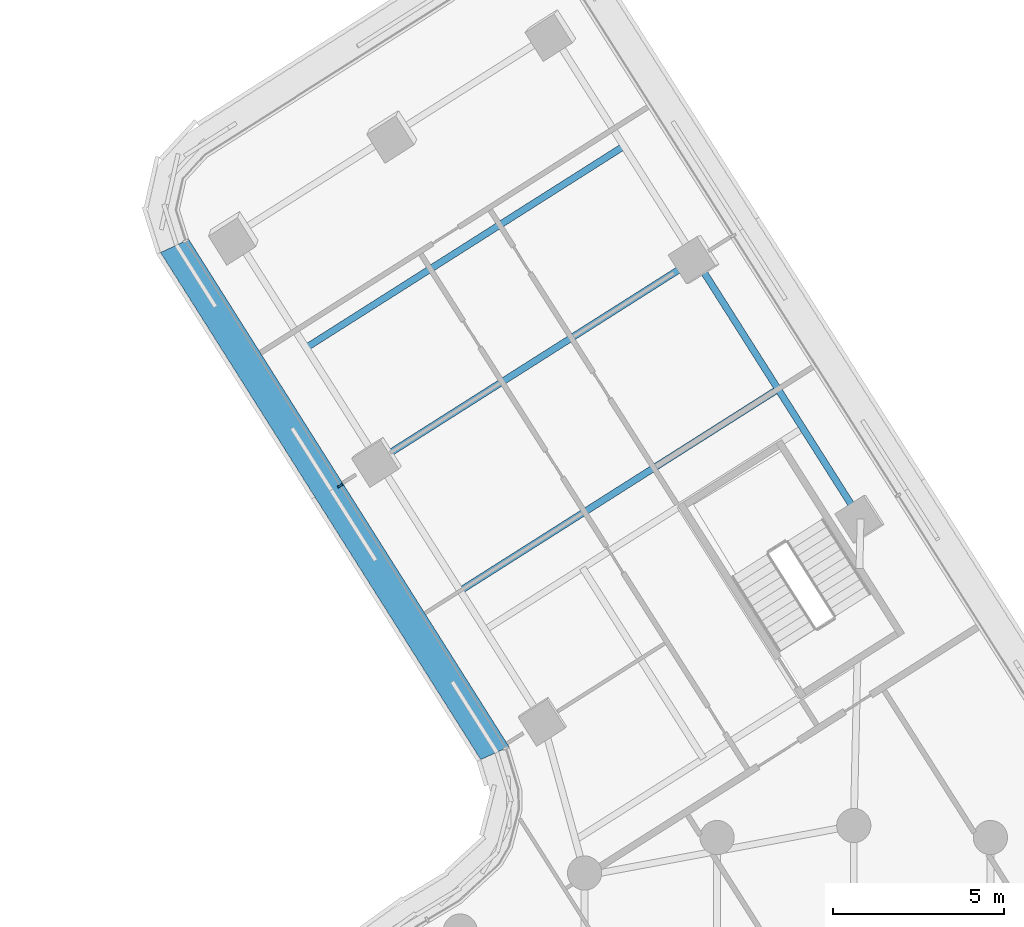
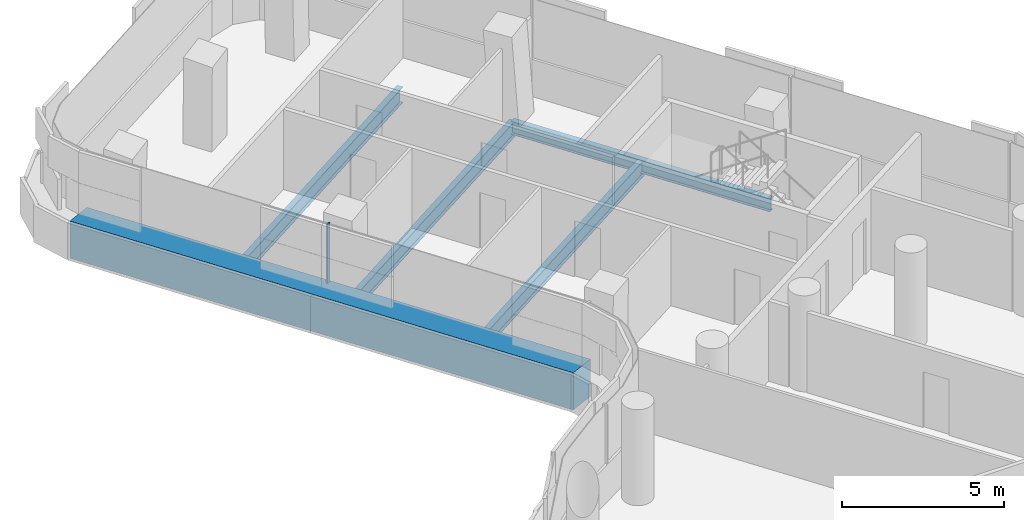
# One storey, part 17 of 36: 4 beams, 2 members, 1 element without a shape of its own.
"""IFC4 building model written with IfcOpenShell, lengths in metres."""

from ifc_helpers import new_model, si_unit, direction, frame, origin, origin_2d, place, context, subcontext, project, spatial, polyline, rectangle, i_section, outline, extrude, material, layer, layer_set, material_profile, profile_set, type_object, element, aggregate, save


model = new_model("IFC4")

# Units and contexts
model_context = context("Model", 3, precision=1e-05, world=origin(), true_north=direction((0.0, 1.0)))
body_context = subcontext(model_context, "Body", "Model", "MODEL_VIEW")
ifc_project = project(units=[si_unit("LENGTHUNIT", "METRE"), si_unit("AREAUNIT", "SQUARE_METRE"), si_unit("VOLUMEUNIT", "CUBIC_METRE"), si_unit("PLANEANGLEUNIT", "RADIAN"), si_unit("MASSUNIT", "GRAM", prefix="KILO")], contexts=[model_context])

# Site, building, storey
site_placement = place(None, origin())
site = spatial("IfcSite", under=ifc_project, at=site_placement, CompositionType="ELEMENT")
building_placement = place(site_placement, origin())
building = spatial("IfcBuilding", under=site, at=building_placement, Name="Tamarind Cross Interchange Tower", CompositionType="ELEMENT")
storey_placement = place(building_placement, frame((0.0, 0.0, 151.75)))
storey = spatial("IfcBuildingStorey", under=building, at=storey_placement, Name="L37", CompositionType="ELEMENT", Elevation=151.75)

# Beams
ifc_material_1 = material(Name="Steel Q355B", Category="steel")
ifc_material_profile_1 = material_profile(ifc_material_1, i_section(OverallWidth=0.198974609375, OverallDepth=0.49609375, WebThickness=0.009033203125, FlangeThickness=0.013916015625, FilletRadius=0.012939453125, at=origin_2d()), Name="HN 496x199x9x14")
ifc_profile_set_1 = profile_set([ifc_material_profile_1], Name="Steel Q355B")
beam_type_1 = type_object("IfcBeamType", Name="Composite beam HN 496x199x9x14 Q355B", PredefinedType="BEAM", material=ifc_profile_set_1)
beam_1_placement = place(storey_placement, frame((-4.62255859375, 39.554931640625, -0.387939453125), z_axis=(0.535658569153, -0.844434661352, 0.0), x_axis=(0.844434661352, 0.535658569153, 0.0)))
element("IfcBeam", 1, at=beam_1_placement, inside=storey, type_object=beam_type_1, Name="Beam N-edgeem6", PredefinedType="BEAM", context=body_context, shape_type="SweptSolid", body=[
    extrude(i_section(OverallWidth=0.198974609375, OverallDepth=0.49609375, WebThickness=0.009033203125, FlangeThickness=0.013916015625, FilletRadius=0.012939453125, at=origin_2d()), origin(), (0.0, 0.0, 1.0), 9.000244140625),
])
ifc_material_profile_2 = material_profile(ifc_material_1, i_section(OverallWidth=0.199951171875, OverallDepth=0.60009765625, WebThickness=0.010986328125, FlangeThickness=0.01708984375, FilletRadius=0.012939453125, at=origin_2d()), Name="HN 600x200x11x17")
ifc_profile_set_2 = profile_set([ifc_material_profile_2], Name="Steel Q355B")
beam_type_2 = type_object("IfcBeamType", Name="Composite beam HN 600x200x11x17 Q355B", PredefinedType="BEAM", material=ifc_profile_set_2)
beam_2_placement = place(storey_placement, frame((-4.62255859375, 39.554931640625, -0.43994140625), z_axis=(-0.844431939185, -0.535662860468, 0.0), x_axis=(0.535662860468, -0.844431939185, 0.0)))
element("IfcBeam", 2, at=beam_2_placement, inside=storey, type_object=beam_type_2, Name="Beam N-x393", PredefinedType="BEAM", context=body_context, shape_type="SweptSolid", body=[
    extrude(i_section(OverallWidth=0.199951171875, OverallDepth=0.60009765625, WebThickness=0.010986328125, FlangeThickness=0.01708984375, FilletRadius=0.012939453125, at=origin_2d()), origin(), (0.0, 0.0, 1.0), 11.0),
])
for number, where, z_axis, x_axis, name in (
    (3, (-2.212158203125, 35.7548828125, -0.43994140625), (-0.84442557065, -0.535672899849, 0.0), (0.535672899849, -0.84442557065, 0.0), "Beam N-x348"),
    (4, (-6.717041015625, 42.8564453125, -0.43994140625), (-0.84442557065, -0.535672899849, 0.0), (0.535672899849, -0.84442557065, 0.0), "Beam N-x432"),
):
    element("IfcBeam", number, at=place(storey_placement, frame(where, z_axis=z_axis, x_axis=x_axis)), inside=storey, type_object=beam_type_2, Name=name, PredefinedType="BEAM", context=body_context, shape_type="SweptSolid", body=[
        extrude(i_section(OverallWidth=0.199951171875, OverallDepth=0.60009765625, WebThickness=0.010986328125, FlangeThickness=0.01708984375, FilletRadius=0.012939453125, at=origin_2d()), origin(), (0.0, 0.0, 1.0), 10.999755859375),
    ])

# Curtain wall, members
ifc_material_2 = material(Name="Aluminium 6063-T6", Category="aluminium")
ifc_layer = layer(ifc_material_2, 0.159912109375)
ifc_layer_set = layer_set([ifc_layer], Name="Aluminium 6063-T6")
curtain_wall_type = type_object("IfcCurtainWallType", Name="Office curtain wall, 9.0 m bays", PredefinedType="NOTDEFINED", material=ifc_layer_set)
curtain_wall_placement = place(storey_placement, origin())
curtain_wall = element("IfcCurtainWall", 5, at=curtain_wall_placement, inside=storey, type_object=curtain_wall_type, Name="CWS-L37-01", PredefinedType="NOTDEFINED")
ifc_material_3 = material(Name="Aluminium and insulated spandrel panel", Category="aluminium")
member_type_1 = type_object("IfcMemberType", Name="Floor-edge blade transom", PredefinedType="USERDEFINED", material=ifc_material_3)
member_1_placement = place(storey_placement, origin())
member_1 = element("IfcMember", 6, at=member_1_placement, type_object=member_type_1, Name="CWT-L37-01", ObjectType="TRANSOM", PredefinedType="USERDEFINED", context=body_context, shape_type="SweptSolid", body=[
    extrude(outline(polyline([(-19.43505859375, 40.1298828125), (-10.07470703125, 25.30517578125), (-10.9013671875, 24.928466796875), (-20.2587890625, 39.74853515625), (-19.43505859375, 40.1298828125)])), origin(), (0.0, 0.0, 1.0), 1.39990234375),
])
ifc_material_profile_3 = material_profile(ifc_material_2, rectangle(XDim=0.06005859375, YDim=0.159912109375, at=origin_2d()), Name="Mullion CW1")
ifc_profile_set_3 = profile_set([ifc_material_profile_3], Name="Aluminium 6063-T6")
member_type_2 = type_object("IfcMemberType", Name="Mullion CW1", PredefinedType="MULLION", material=ifc_profile_set_3)
member_2_placement = place(storey_placement, frame((-15.009765625, 32.933837890625, 1.39990234375), z_axis=(0.0, 0.0, 1.0), x_axis=(0.533880613265, -0.845559868241, 0.0)))
member_2 = element("IfcMember", 7, at=member_2_placement, type_object=member_type_2, Name="CWM-L37-01-01", PredefinedType="MULLION", context=body_context, shape_type="SweptSolid", body=[
    extrude(rectangle(XDim=0.06005859375, YDim=0.159912109375, at=origin_2d()), origin(), (0.0, 0.0, 1.0), 2.210205078125),
])
aggregate(curtain_wall, [member_2, member_1])

save(model, "model.ifc")
